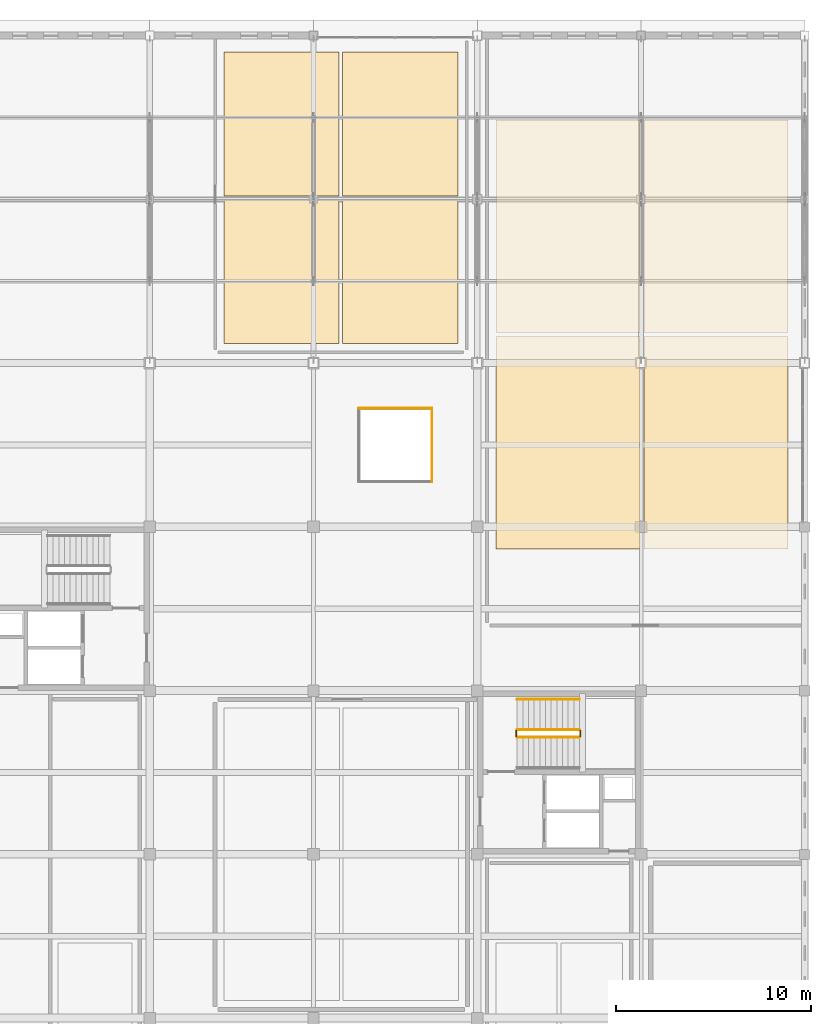
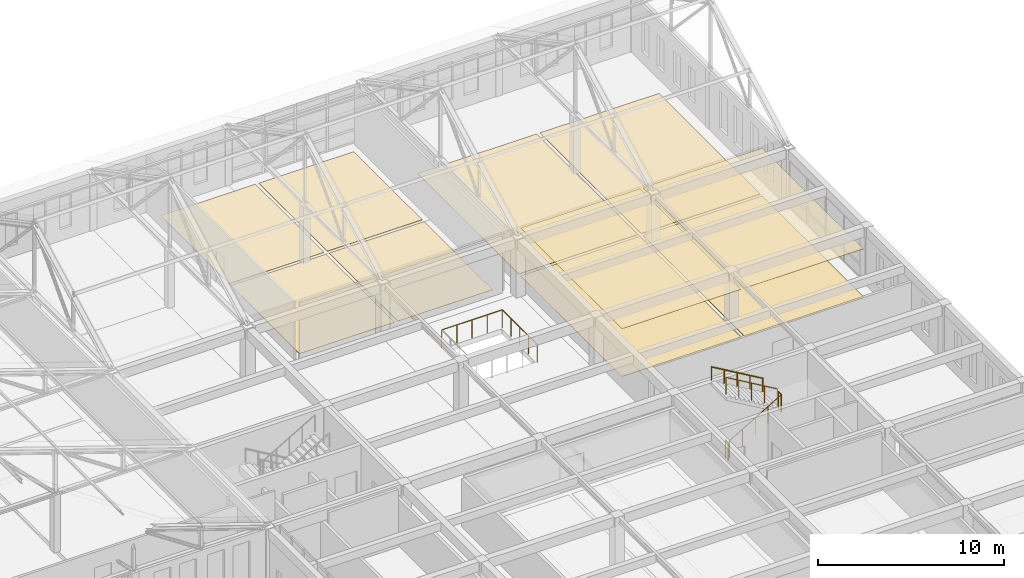
# One storey, part 56 of 56: 10 coverings, 7 railings.
"""IFC4 building model written with IfcOpenShell, lengths in metres."""

from ifc_helpers import new_model, si_unit, direction, frame, origin, origin_2d, place, context, subcontext, project, spatial, rectangle, circle, extrude, material, layer, layer_set, type_object, element, save


model = new_model("IFC4")

# Units and contexts
model_context = context("Model", 3, precision=1e-05, world=origin(), true_north=direction((0.0, 1.0)))
body_context = subcontext(model_context, "Body", "Model", "MODEL_VIEW")
ifc_project = project(units=[si_unit("LENGTHUNIT", "METRE"), si_unit("AREAUNIT", "SQUARE_METRE"), si_unit("VOLUMEUNIT", "CUBIC_METRE"), si_unit("PLANEANGLEUNIT", "RADIAN"), si_unit("MASSUNIT", "GRAM", prefix="KILO")], contexts=[model_context])

# Site, building, storey
site_placement = place(None, origin())
site = spatial("IfcSite", under=ifc_project, at=site_placement, CompositionType="ELEMENT")
building_placement = place(site_placement, origin())
building = spatial("IfcBuilding", under=site, at=building_placement, Name="Kveldsbrygga Polytechnic", CompositionType="ELEMENT")
storey_placement = place(building_placement, frame((0.0, 0.0, 18.02001953125)))
storey = spatial("IfcBuildingStorey", under=building, at=storey_placement, Name="L04", CompositionType="ELEMENT", Elevation=18.02001953125)

# Coverings
ifc_material_1 = material(Name="Acoustic mineral baffle ceiling")
ifc_layer_1 = layer(ifc_material_1, 0.030029296875)
ifc_layer_set_1 = layer_set([ifc_layer_1], Name="Acoustic mineral baffle ceiling")
covering_type_1 = type_object("IfcCoveringType", Name="COV-CEIL-AC30", PredefinedType="CEILING", material=ifc_layer_set_1)
for number, where, z_axis, x_axis, name in (
    (1, (155.85009765625, 96.72509765625, 3.1298828125), (0.0, 0.0, 1.0), (1.0, 0.0, 0.0), "Acoustic Ceiling SP-L04-STD42-WS"),
    (2, (163.449951171875, 96.72509765625, 3.1298828125), (0.0, 0.0, 1.0), (1.0, 0.0, 0.0), "Acoustic Ceiling SP-L04-STD42-ES"),
):
    element("IfcCovering", number, at=place(storey_placement, frame(where, z_axis=z_axis, x_axis=x_axis)), inside=storey, type_object=covering_type_1, Name=name, PredefinedType="CEILING", context=body_context, shape_type="SweptSolid", body=[
        extrude(rectangle(XDim=7.39990234375, YDim=10.89990234375, at=origin_2d()), origin(), (0.0, 0.0, 1.0), 0.030029296875),
    ])
ifc_material_2 = material(Name="Iddefjord granite honed paving", Category="masonry")
ifc_layer_2 = layer(ifc_material_2, 0.02490234375)
ifc_layer_set_2 = layer_set([ifc_layer_2], Name="Iddefjord granite honed paving")
covering_type_2 = type_object("IfcCoveringType", Name="COV-FLR-GRN25", PredefinedType="FLOORING", material=ifc_layer_set_2)
for number, where, z_axis, x_axis, name in (
    (3, (141.14990234375, 105.487548828125, 0.0), (0.0, 0.0, 1.0), (1.0, 0.0, 0.0), "Room Flooring SP-L04-WC1-WS"),
    (4, (141.14990234375, 113.0625, 0.0), (0.0, 0.0, 1.0), (1.0, 0.0, 0.0), "Room Flooring SP-L04-WC1-WN"),
    (5, (147.25, 105.487548828125, 0.0), (0.0, 0.0, 1.0), (1.0, 0.0, 0.0), "Room Flooring SP-L04-WC1-ES"),
    (6, (147.25, 113.0625, 0.0), (0.0, 0.0, 1.0), (1.0, 0.0, 0.0), "Room Flooring SP-L04-WC1-EN"),
):
    element("IfcCovering", number, at=place(storey_placement, frame(where, z_axis=z_axis, x_axis=x_axis)), inside=storey, type_object=covering_type_2, Name=name, PredefinedType="FLOORING", context=body_context, shape_type="SweptSolid", body=[
        extrude(rectangle(XDim=5.89990234375, YDim=7.375, at=origin_2d()), origin(), (0.0, 0.0, 1.0), 0.02490234375),
    ])
ifc_material_3 = material(Name="Acoustic oak timber flooring", Category="wood")
ifc_layer_3 = layer(ifc_material_3, 0.02197265625)
ifc_layer_set_3 = layer_set([ifc_layer_3], Name="Acoustic oak timber flooring")
covering_type_3 = type_object("IfcCoveringType", Name="COV-FLR-OAK22", PredefinedType="FLOORING", material=ifc_layer_set_3)
for number, where, z_axis, x_axis, name in (
    (7, (155.85009765625, 96.72509765625, 0.0), (0.0, 0.0, 1.0), (1.0, 0.0, 0.0), "Room Flooring SP-L04-STD42-WS"),
    (8, (155.85009765625, 107.824951171875, 0.0), (0.0, 0.0, 1.0), (1.0, 0.0, 0.0), "Room Flooring SP-L04-STD42-WN"),
    (9, (163.449951171875, 96.72509765625, 0.0), (0.0, 0.0, 1.0), (1.0, 0.0, 0.0), "Room Flooring SP-L04-STD42-ES"),
    (10, (163.449951171875, 107.824951171875, 0.0), (0.0, 0.0, 1.0), (1.0, 0.0, 0.0), "Room Flooring SP-L04-STD42-EN"),
):
    element("IfcCovering", number, at=place(storey_placement, frame(where, z_axis=z_axis, x_axis=x_axis)), inside=storey, type_object=covering_type_3, Name=name, PredefinedType="FLOORING", context=body_context, shape_type="SweptSolid", body=[
        extrude(rectangle(XDim=7.39990234375, YDim=10.89990234375, at=origin_2d()), origin(), (0.0, 0.0, 1.0), 0.02197265625),
    ])

# Railings
ifc_material_4 = material(Name="Steel S355", Category="steel")
railing_type_1 = type_object("IfcRailingType", Name="RL-STAIR-GRD", PredefinedType="GUARDRAIL", material=ifc_material_4)
railing_1_placement = place(storey_placement, frame((153.25, 81.60009765625, 0.169921875)))
element("IfcRailing", 11, at=railing_1_placement, inside=storey, type_object=railing_type_1, Name="L04 ST-4 stair guard 1", PredefinedType="GUARDRAIL", context=body_context, shape_type="SweptSolid", body=[
    extrude(circle(Radius=0.02392578125, at=origin_2d()), frame((0.0, 0.0, 1.1259765625), z_axis=(0.862680090275, 0.0, 0.50574999935), x_axis=(0.0, 1.0, 0.0)), (0.0, 0.0, 1.0), 3.69775390625),
    extrude(circle(Radius=0.02099609375, at=origin_2d()), origin(), (0.0, 0.0, 1.0), 1.097900390625),
    extrude(circle(Radius=0.02099609375, at=origin_2d()), frame((0.79736328125, 0.0, 0.467529296875)), (0.0, 0.0, 1.0), 1.097900390625),
    extrude(circle(Radius=0.02099609375, at=origin_2d()), frame((1.594970703125, 0.0, 0.93505859375)), (0.0, 0.0, 1.0), 1.097900390625),
    extrude(circle(Radius=0.02099609375, at=origin_2d()), frame((2.392578125, 0.0, 1.402587890625)), (0.0, 0.0, 1.0), 1.097900390625),
    extrude(circle(Radius=0.02099609375, at=origin_2d()), frame((3.18994140625, 0.0, 1.8701171875)), (0.0, 0.0, 1.0), 1.097900390625),
])
railing_2_placement = place(storey_placement, frame((156.489990234375, 81.64990234375, 2.0400390625)))
element("IfcRailing", 12, at=railing_2_placement, inside=storey, type_object=railing_type_1, Name="L04 ST-4 stair guard 2", PredefinedType="GUARDRAIL", context=body_context, shape_type="SweptSolid", body=[
    extrude(circle(Radius=0.02392578125, at=origin_2d()), frame((0.0, 0.0, 1.1259765625), z_axis=(0.0, 1.0, 0.0), x_axis=(-1.0, 0.0, 0.0)), (0.0, 0.0, 1.0), 0.300048828125),
    extrude(circle(Radius=0.02099609375, at=origin_2d()), origin(), (0.0, 0.0, 1.0), 1.097900390625),
    extrude(circle(Radius=0.02099609375, at=origin_2d()), frame((0.0, 0.300048828125, 0.0)), (0.0, 0.0, 1.0), 1.097900390625),
])
railing_3_placement = place(storey_placement, frame((156.43994140625, 82.0, 2.2099609375)))
element("IfcRailing", 13, at=railing_3_placement, inside=storey, type_object=railing_type_1, Name="L04 ST-4 stair guard 3", PredefinedType="GUARDRAIL", context=body_context, shape_type="SweptSolid", body=[
    extrude(circle(Radius=0.02392578125, at=origin_2d()), frame((0.0, 0.0, 1.1259765625), z_axis=(-0.862680090275, 0.0, 0.50574999935), x_axis=(0.0, -1.0, 0.0)), (0.0, 0.0, 1.0), 3.69775390625),
    extrude(circle(Radius=0.02099609375, at=origin_2d()), origin(), (0.0, 0.0, 1.0), 1.097900390625),
    extrude(circle(Radius=0.02099609375, at=origin_2d()), frame((-0.79736328125, 0.0, 0.467529296875)), (0.0, 0.0, 1.0), 1.097900390625),
    extrude(circle(Radius=0.02099609375, at=origin_2d()), frame((-1.594970703125, 0.0, 0.93505859375)), (0.0, 0.0, 1.0), 1.097900390625),
    extrude(circle(Radius=0.02099609375, at=origin_2d()), frame((-2.392578125, 0.0, 1.402587890625)), (0.0, 0.0, 1.0), 1.097900390625),
    extrude(circle(Radius=0.02099609375, at=origin_2d()), frame((-3.18994140625, 0.0, 1.8701171875)), (0.0, 0.0, 1.0), 1.097900390625),
])
railing_4_placement = place(storey_placement, frame((153.199951171875, 81.64990234375, 0.0)))
element("IfcRailing", 14, at=railing_4_placement, inside=storey, type_object=railing_type_1, Name="L04 ST-4 stair guard 4", PredefinedType="GUARDRAIL", context=body_context, shape_type="SweptSolid", body=[
    extrude(circle(Radius=0.02392578125, at=origin_2d()), frame((0.0, 0.0, 1.1259765625), z_axis=(0.0, 1.0, 0.0), x_axis=(-1.0, 0.0, 0.0)), (0.0, 0.0, 1.0), 0.300048828125),
    extrude(circle(Radius=0.02099609375, at=origin_2d()), origin(), (0.0, 0.0, 1.0), 1.097900390625),
    extrude(circle(Radius=0.02099609375, at=origin_2d()), frame((0.0, 0.300048828125, 0.0)), (0.0, 0.0, 1.0), 1.097900390625),
])
railing_type_2 = type_object("IfcRailingType", Name="RL-STAIR-HND", PredefinedType="HANDRAIL", material=ifc_material_4)
railing_5_placement = place(storey_placement, frame((156.43994140625, 83.550048828125, 2.2099609375)))
element("IfcRailing", 15, at=railing_5_placement, inside=storey, type_object=railing_type_2, Name="L04 ST-4 stair handrail 2", PredefinedType="HANDRAIL", context=body_context, shape_type="SweptSolid", body=[
    extrude(circle(Radius=0.02392578125, at=origin_2d()), frame((0.0, 0.0, 0.8759765625), z_axis=(-0.862680090275, 0.0, 0.50574999935), x_axis=(0.0, -1.0, 0.0)), (0.0, 0.0, 1.0), 3.69775390625),
    extrude(circle(Radius=0.02099609375, at=origin_2d()), origin(), (0.0, 0.0, 1.0), 0.847900390625),
    extrude(circle(Radius=0.02099609375, at=origin_2d()), frame((-0.79736328125, 0.0, 0.467529296875)), (0.0, 0.0, 1.0), 0.847900390625),
    extrude(circle(Radius=0.02099609375, at=origin_2d()), frame((-1.594970703125, 0.0, 0.93505859375)), (0.0, 0.0, 1.0), 0.847900390625),
    extrude(circle(Radius=0.02099609375, at=origin_2d()), frame((-2.392578125, 0.0, 1.402587890625)), (0.0, 0.0, 1.0), 0.847900390625),
    extrude(circle(Radius=0.02099609375, at=origin_2d()), frame((-3.18994140625, 0.0, 1.8701171875)), (0.0, 0.0, 1.0), 0.847900390625),
])
railing_type_3 = type_object("IfcRailingType", Name="RL-VOID-GRD", PredefinedType="GUARDRAIL", material=ifc_material_4)
railing_6_placement = place(storey_placement, frame((148.8798828125, 94.719970703125, 0.0)))
element("IfcRailing", 16, at=railing_6_placement, inside=storey, type_object=railing_type_3, Name="Atrium Well Guard GRD-L04-WELL-11-E", PredefinedType="GUARDRAIL", context=body_context, shape_type="SweptSolid", body=[
    extrude(circle(Radius=0.02392578125, at=origin_2d()), frame((0.0, 0.0, 1.17578125), z_axis=(0.0, 1.0, 0.0), x_axis=(-1.0, 0.0, 0.0)), (0.0, 0.0, 1.0), 3.760009765625),
    extrude(circle(Radius=0.02099609375, at=origin_2d()), origin(), (0.0, 0.0, 1.0), 1.14794921875),
    extrude(circle(Radius=0.02099609375, at=origin_2d()), frame((0.0, 0.93994140625, 0.0)), (0.0, 0.0, 1.0), 1.14794921875),
    extrude(circle(Radius=0.02099609375, at=origin_2d()), frame((0.0, 1.8798828125, 0.0)), (0.0, 0.0, 1.0), 1.14794921875),
    extrude(circle(Radius=0.02099609375, at=origin_2d()), frame((0.0, 2.820068359375, 0.0)), (0.0, 0.0, 1.0), 1.14794921875),
    extrude(circle(Radius=0.02099609375, at=origin_2d()), frame((0.0, 3.760009765625, 0.0)), (0.0, 0.0, 1.0), 1.14794921875),
])
railing_7_placement = place(storey_placement, frame((148.8798828125, 98.47998046875, 0.0)))
element("IfcRailing", 17, at=railing_7_placement, inside=storey, type_object=railing_type_3, Name="Atrium Well Guard GRD-L04-WELL-11-N", PredefinedType="GUARDRAIL", context=body_context, shape_type="SweptSolid", body=[
    extrude(circle(Radius=0.02392578125, at=origin_2d()), frame((0.0, 0.0, 1.17578125), z_axis=(-1.0, 0.0, 0.0), x_axis=(0.0, -1.0, 0.0)), (0.0, 0.0, 1.0), 3.759765625),
    extrude(circle(Radius=0.02099609375, at=origin_2d()), origin(), (0.0, 0.0, 1.0), 1.14794921875),
    extrude(circle(Radius=0.02099609375, at=origin_2d()), frame((-0.93994140625, 0.0, 0.0)), (0.0, 0.0, 1.0), 1.14794921875),
    extrude(circle(Radius=0.02099609375, at=origin_2d()), frame((-1.8798828125, 0.0, 0.0)), (0.0, 0.0, 1.0), 1.14794921875),
    extrude(circle(Radius=0.02099609375, at=origin_2d()), frame((-2.81982421875, 0.0, 0.0)), (0.0, 0.0, 1.0), 1.14794921875),
    extrude(circle(Radius=0.02099609375, at=origin_2d()), frame((-3.759765625, 0.0, 0.0)), (0.0, 0.0, 1.0), 1.14794921875),
])

save(model, "model.ifc")
